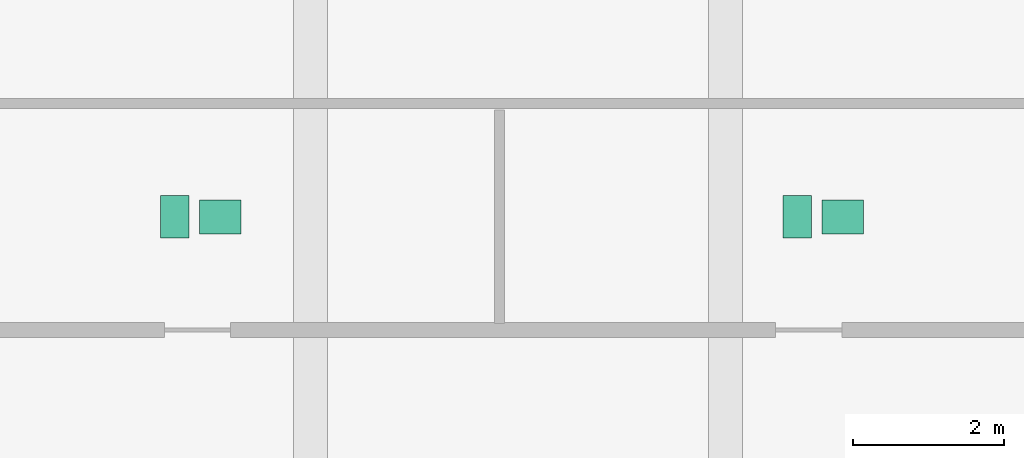
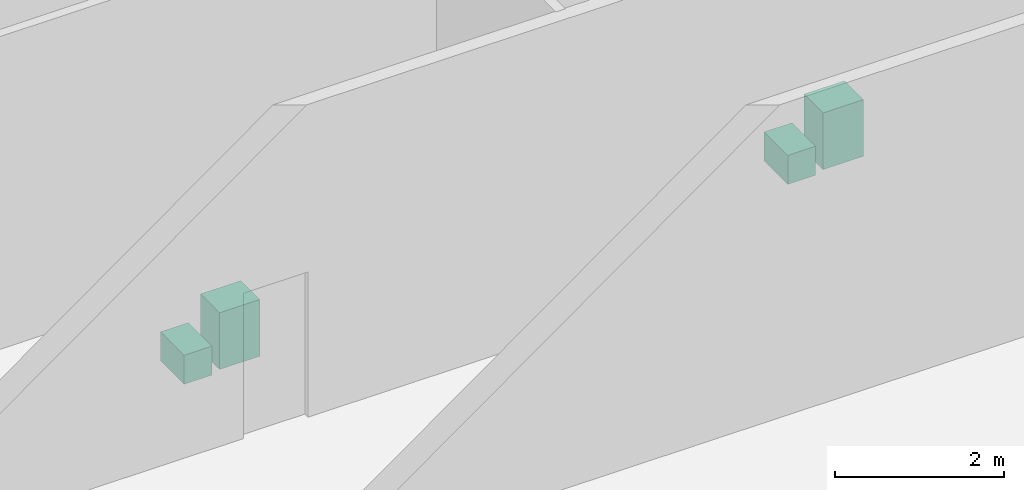
# One storey, part 28 of 28: 4 sanitary terminals.
"""IFC4 building model written with IfcOpenShell, lengths in metres."""

from ifc_helpers import new_model, si_unit, direction, frame, origin, origin_2d, place, context, subcontext, project, spatial, rectangle, extrude, source, transform, mapped, material, type_object, type_shapes, element, save


model = new_model("IFC4")

# Units and contexts
model_context = context("Model", 3, precision=1e-05, world=origin(), true_north=direction((0.0, 1.0)))
body_context = subcontext(model_context, "Body", "Model", "MODEL_VIEW")
ifc_project = project(units=[si_unit("LENGTHUNIT", "METRE"), si_unit("AREAUNIT", "SQUARE_METRE"), si_unit("VOLUMEUNIT", "CUBIC_METRE"), si_unit("PLANEANGLEUNIT", "RADIAN"), si_unit("MASSUNIT", "GRAM", prefix="KILO")], contexts=[model_context])

# Site, building, storey
site_placement = place(None, origin())
site = spatial("IfcSite", under=ifc_project, at=site_placement, CompositionType="ELEMENT")
building_placement = place(site_placement, origin())
building = spatial("IfcBuilding", under=site, at=building_placement, Name="Seokmaru Belvedere", CompositionType="ELEMENT")
storey_placement = place(building_placement, frame((0.0, 0.0, 274.199951171875)))
storey = spatial("IfcBuildingStorey", under=building, at=storey_placement, Name="L72", CompositionType="ELEMENT", Elevation=274.199951171875)

# Sanitary terminals
ifc_material = material(Name="Vitreous China Sanitaryware")
sanitary_terminal_type_1 = type_object("IfcSanitaryTerminalType", Name="Wall-Hung Vitreous China WC Pan", PredefinedType="TOILETPAN", material=ifc_material)
shared_shape_1 = source(origin(), body_context, "Body", "SweptSolid", [
    extrude(rectangle(XDim=0.3798828125, YDim=0.56005859375, at=origin_2d()), origin(), (0.0, 0.0, 1.0), 0.419921875),
])
type_shapes(sanitary_terminal_type_1, [shared_shape_1])
for number, where, z_axis, x_axis, name in (
    (1, (14.699951171875, 2.89990234375, 0.0), (0.0, 0.0, 1.0), (1.0, 0.0, 0.0), "L72 Vitreous China WC 0312"),
    (2, (22.949951171875, 2.89990234375, 0.0), (0.0, 0.0, 1.0), (1.0, 0.0, 0.0), "L72 Vitreous China WC 0313"),
):
    element("IfcSanitaryTerminal", number, at=place(storey_placement, frame(where, z_axis=z_axis, x_axis=x_axis)), inside=storey, type_object=sanitary_terminal_type_1, Name=name, PredefinedType="TOILETPAN", context=body_context, shape_type="MappedRepresentation", body=[
        mapped(shared_shape_1, transform((0.0, 0.0, 0.0), scale=1.0)),
    ])
sanitary_terminal_type_2 = type_object("IfcSanitaryTerminalType", Name="Countertop Ceramic Washhand Basin", PredefinedType="WASHHANDBASIN", material=ifc_material)
shared_shape_2 = source(origin(), body_context, "Body", "SweptSolid", [
    extrude(rectangle(XDim=0.550048828125, YDim=0.449951171875, at=origin_2d()), origin(), (0.0, 0.0, 1.0), 0.820068359375),
])
type_shapes(sanitary_terminal_type_2, [shared_shape_2])
for number, where, z_axis, x_axis, name in (
    (3, (15.300048828125, 2.89990234375, 0.0), (0.0, 0.0, 1.0), (1.0, 0.0, 0.0), "L72 Ceramic Washhand Basin 0312"),
    (4, (23.550048828125, 2.89990234375, 0.0), (0.0, 0.0, 1.0), (1.0, 0.0, 0.0), "L72 Ceramic Washhand Basin 0313"),
):
    element("IfcSanitaryTerminal", number, at=place(storey_placement, frame(where, z_axis=z_axis, x_axis=x_axis)), inside=storey, type_object=sanitary_terminal_type_2, Name=name, PredefinedType="WASHHANDBASIN", context=body_context, shape_type="MappedRepresentation", body=[
        mapped(shared_shape_2, transform((0.0, 0.0, 0.0), scale=1.0)),
    ])

save(model, "model.ifc")
